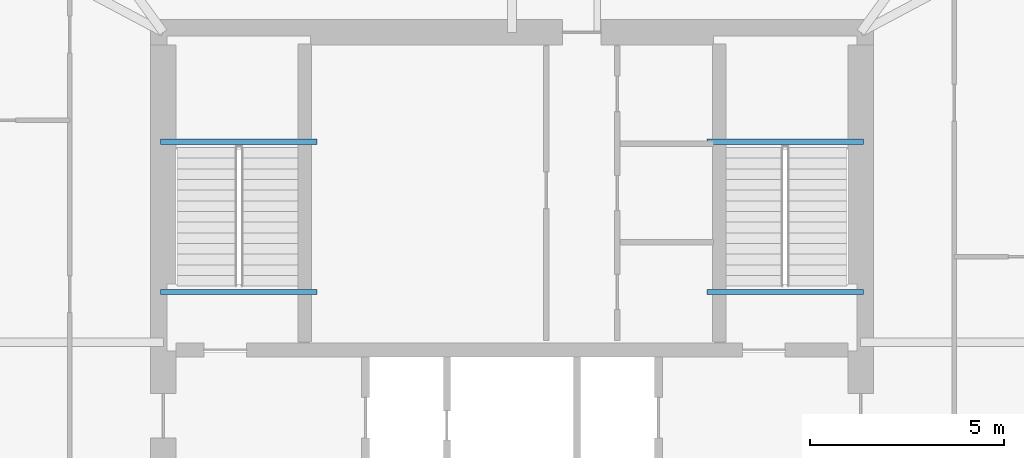
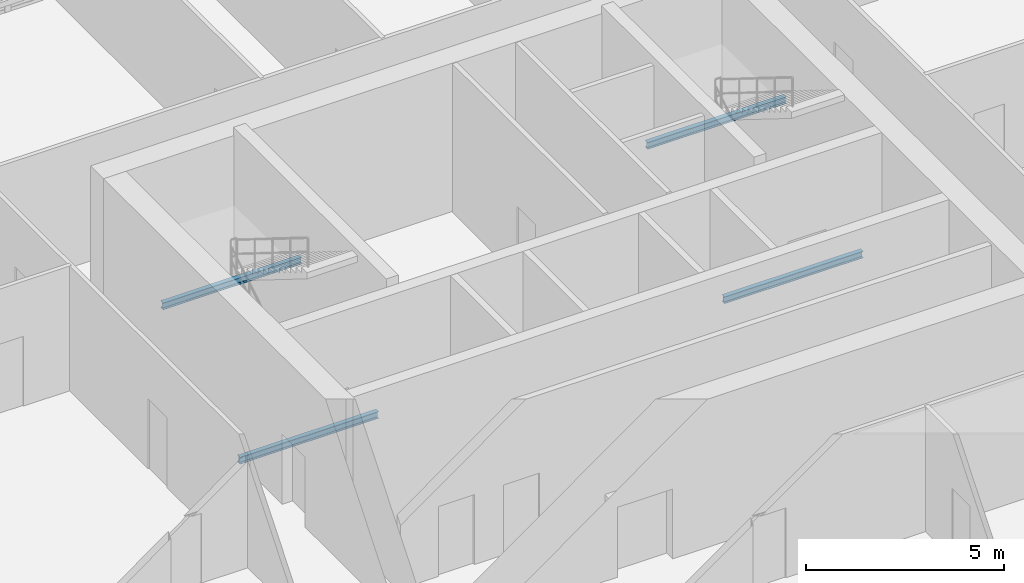
# One storey, part 16 of 48: 4 beams.
"""IFC4 building model written with IfcOpenShell, lengths in metres."""

from ifc_helpers import new_model, si_unit, direction, frame, origin, origin_2d, place, context, subcontext, project, spatial, i_section, extrude, material, material_profile, profile_set, type_object, element, save


model = new_model("IFC4")

# Units and contexts
model_context = context("Model", 3, precision=1e-05, world=origin(), true_north=direction((0.0, 1.0)))
body_context = subcontext(model_context, "Body", "Model", "MODEL_VIEW")
ifc_project = project(units=[si_unit("LENGTHUNIT", "METRE"), si_unit("AREAUNIT", "SQUARE_METRE"), si_unit("VOLUMEUNIT", "CUBIC_METRE"), si_unit("PLANEANGLEUNIT", "RADIAN"), si_unit("MASSUNIT", "GRAM", prefix="KILO")], contexts=[model_context])

# Site, building, storey
site_placement = place(None, origin())
site = spatial("IfcSite", under=ifc_project, at=site_placement, CompositionType="ELEMENT")
building_placement = place(site_placement, origin())
building = spatial("IfcBuilding", under=site, at=building_placement, Name="Caelvoria Tower", CompositionType="ELEMENT")
storey_placement = place(building_placement, frame((0.0, 0.0, 90.39990234375)))
storey = spatial("IfcBuildingStorey", under=building, at=storey_placement, Name="L23", CompositionType="ELEMENT", Elevation=90.39990234375)

# Beams
ifc_material = material(Name="Structural Steel ASTM A992 Gr.50", Category="steel")
ifc_material_profile = material_profile(ifc_material, i_section(OverallWidth=0.134033203125, OverallDepth=0.2099609375, WebThickness=0.00634765625, FlangeThickness=0.01025390625, FilletRadius=0.010009765625, at=origin_2d()), Name="Structural Steel ASTM A992 Gr.50")
ifc_profile_set = profile_set([ifc_material_profile], Name="W200X31.3 - Structural Steel ASTM A992 Gr.50")
beam_type = type_object("IfcBeamType", Name="Canopy Edge Trim Beam W200X31.3", PredefinedType="BEAM", material=ifc_profile_set)
for number, where, z_axis, x_axis, name in (
    (1, (36.929931640625, 37.175048828125, 2.09521484375), (1.0, 0.0, 0.0), (0.0, 1.0, 0.0), "ST-01 Half-Landing Support Beam L23"),
    (2, (36.929931640625, 33.300048828125, -0.304931640625), (1.0, 0.0, 0.0), (0.0, 1.0, 0.0), "ST-01 Floor-Landing Support Beam L23"),
    (3, (51.030029296875, 37.175048828125, 2.09521484375), (1.0, 0.0, 0.0), (0.0, 1.0, 0.0), "ST-02 Half-Landing Support Beam L23"),
    (4, (51.030029296875, 33.300048828125, -0.304931640625), (1.0, 0.0, 0.0), (0.0, 1.0, 0.0), "ST-02 Floor-Landing Support Beam L23"),
):
    element("IfcBeam", number, at=place(storey_placement, frame(where, z_axis=z_axis, x_axis=x_axis)), inside=storey, type_object=beam_type, Name=name, PredefinedType="BEAM", context=body_context, shape_type="SweptSolid", body=[
        extrude(i_section(OverallWidth=0.134033203125, OverallDepth=0.2099609375, WebThickness=0.00634765625, FlangeThickness=0.01025390625, FilletRadius=0.010009765625, at=origin_2d()), origin(), (0.0, 0.0, 1.0), 4.0400390625),
    ])

save(model, "model.ifc")
